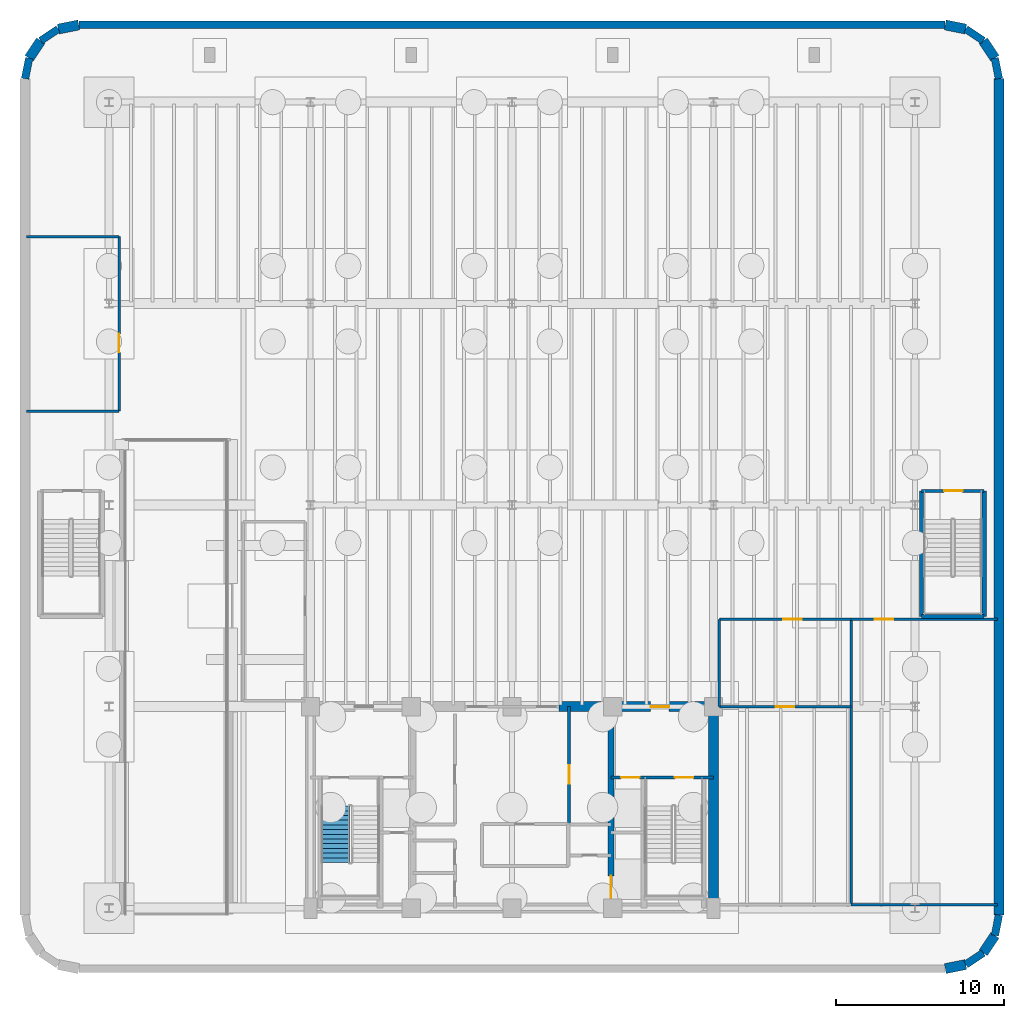
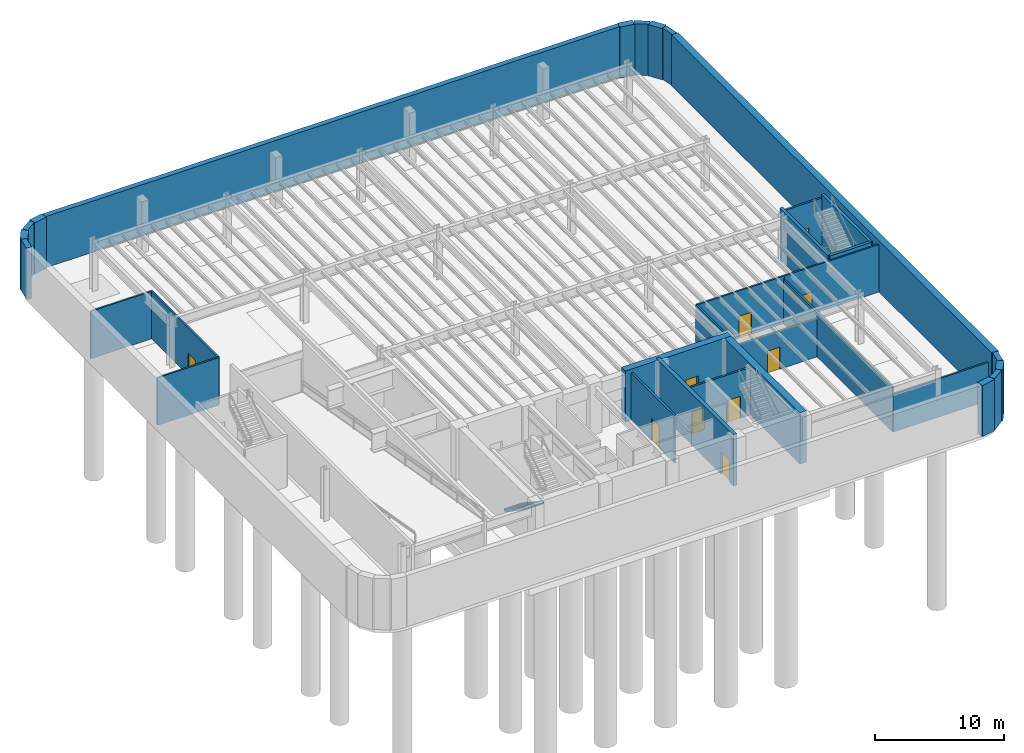
# One storey, part 5 of 9: 32 walls, 10 doors, 1 stair flight, 10 openings, 1 element without a shape of its own.
"""IFC4 building model written with IfcOpenShell, lengths in metres."""

import ifcopenshell
import ifcopenshell.guid

model = None  # the IFC model being written
_history = None  # IfcOwnerHistory: only IFC2X3 demands one
_inside = {}  # id of a spatial element -> (the spatial element, [elements in it])
_under = {}  # id of a project, library or spatial element -> (it, [spatial elements below it])
_declared = {}  # id of a project -> (the project, [libraries it declares])
_typed = {}  # id of a type object -> (the type object, [elements of that type])
_made_of = {}  # id of a material, layer set ... -> (it, [elements and type objects made of it])


def new_model(schema):
    """Start an empty IFC model of exactly this schema.

    Asked for "IFC4X3", IfcOpenShell would pick the latest addendum, in which some entities
    have other attributes; the version numbers below select the first issue.
    IFC2X3 requires an IfcOwnerHistory on every rooted entity: one is made here for all.
    """
    global model, _history
    if schema == "IFC4X3":
        model = ifcopenshell.file(schema_version=(4, 3, 0, 0))
    else:
        model = ifcopenshell.file(schema=schema)
    _inside.clear()
    _under.clear()
    _declared.clear()
    _typed.clear()
    _made_of.clear()
    _history = None
    if model.schema == "IFC2X3":
        org = make("IfcOrganization", Name="unknown")
        user = make(
            "IfcPersonAndOrganization",
            ThePerson=make("IfcPerson", FamilyName="unknown"),
            TheOrganization=org,
        )
        app = make(
            "IfcApplication",
            ApplicationDeveloper=org,
            Version="unknown",
            ApplicationFullName="unknown",
            ApplicationIdentifier="unknown",
        )
        _history = make(
            "IfcOwnerHistory",
            OwningUser=user,
            OwningApplication=app,
            ChangeAction="ADDED",
            CreationDate=0,
        )
    return model


def make(cls, **values):
    """One entity of the class cls with the attributes given. An attribute that is None is left unset."""
    return model.create_entity(
        cls, **{name: value for name, value in values.items() if value is not None}
    )


def rooted(cls, **values):
    """An entity with a GlobalId (a new one), such as an element, a storey or a relation."""
    return make(cls, GlobalId=ifcopenshell.guid.new(), OwnerHistory=_history, **values)


def si_unit(unit_type, name, prefix=None):
    """IfcSIUnit, for example si_unit("LENGTHUNIT", "METRE", prefix="MILLI")."""
    return make("IfcSIUnit", UnitType=unit_type, Prefix=prefix, Name=name)


def assignment(units):
    """IfcUnitAssignment: the units of a project."""
    return None if units is None else make("IfcUnitAssignment", Units=units)


def point(xyz):
    """IfcCartesianPoint."""
    return None if xyz is None else make("IfcCartesianPoint", Coordinates=xyz)


def direction(xyz):
    """IfcDirection."""
    return None if xyz is None else make("IfcDirection", DirectionRatios=xyz)


def frame(location, z_axis=None, x_axis=None):
    """IfcAxis2Placement3D, a coordinate frame: its origin and axes. An axis left out is left unset."""
    return make(
        "IfcAxis2Placement3D",
        Location=point(location),
        Axis=direction(z_axis),
        RefDirection=direction(x_axis),
    )


def frame_2d(location, x_axis=None):
    """IfcAxis2Placement2D, a coordinate frame in the plane: its origin and x axis."""
    return make(
        "IfcAxis2Placement2D", Location=point(location), RefDirection=direction(x_axis)
    )


def origin():
    """The frame at (0, 0, 0) with its axes left unset."""
    return frame((0.0, 0.0, 0.0))


def origin_2d():
    """The frame at (0, 0) in the plane with its x axis left unset."""
    return frame_2d((0.0, 0.0))


def place(relative_to, where):
    """IfcLocalPlacement: puts the frame where relative to a parent placement (None: the world)."""
    return make(
        "IfcLocalPlacement", PlacementRelTo=relative_to, RelativePlacement=where
    )


def context(
    kind, dimensions, precision=None, world=None, true_north=None, identifier=None
):
    """IfcGeometricRepresentationContext, for example the 3D "Model" context."""
    return make(
        "IfcGeometricRepresentationContext",
        ContextIdentifier=identifier,
        ContextType=kind,
        CoordinateSpaceDimension=dimensions,
        Precision=precision,
        WorldCoordinateSystem=world,
        TrueNorth=true_north,
    )


def subcontext(parent, identifier, kind, view, scale=None):
    """IfcGeometricRepresentationSubContext, for example "Body" below "Model"."""
    return make(
        "IfcGeometricRepresentationSubContext",
        ContextIdentifier=identifier,
        ContextType=kind,
        ParentContext=parent,
        TargetScale=scale,
        TargetView=view,
    )


def project(units=None, contexts=None):
    """IfcProject with its units and contexts."""
    return rooted(
        "IfcProject",
        Name="project",
        RepresentationContexts=contexts,
        UnitsInContext=assignment(units),
    )


def spatial(cls, under=None, at=None, **own):
    """A site, building, storey or space (cls), placed at a placement, below another one or the project."""
    s = rooted(cls, ObjectPlacement=at, **own)
    if under is not None:
        _under.setdefault(under.id(), (under, []))[1].append(s)
    return s


def polyline(points):
    """IfcPolyline through the points."""
    return make("IfcPolyline", Points=[point(p) for p in points])


def profile(cls, at=None, kind="AREA", **sizes):
    """A parametric profile (cls). Its sizes go by their IFC names, for example OverallWidth=200.0."""
    return make(cls, ProfileType=kind, Position=at, **sizes)


def rectangle(**sizes):
    """IfcRectangleProfileDef."""
    return profile("IfcRectangleProfileDef", **sizes)


def outline(outer, holes=None, kind="AREA"):
    """IfcArbitraryClosedProfileDef: a profile drawn as a closed curve; with holes, ...WithVoids."""
    if holes is None:
        return make("IfcArbitraryClosedProfileDef", ProfileType=kind, OuterCurve=outer)
    return make(
        "IfcArbitraryProfileDefWithVoids",
        ProfileType=kind,
        OuterCurve=outer,
        InnerCurves=holes,
    )


def extrude(swept, where, along, depth):
    """IfcExtrudedAreaSolid: the profile swept, set in the frame where, extruded along a direction by depth."""
    return make(
        "IfcExtrudedAreaSolid",
        SweptArea=swept,
        Position=where,
        ExtrudedDirection=direction(along),
        Depth=depth,
    )


def shape(context_of_items, identifier, shape_type, items):
    """IfcShapeRepresentation: the items that make up one representation, for example the "Body"."""
    return make(
        "IfcShapeRepresentation",
        ContextOfItems=context_of_items,
        RepresentationIdentifier=identifier,
        RepresentationType=shape_type,
        Items=items,
    )


def source(mapping_origin, context_of_items, identifier, shape_type, items):
    """IfcRepresentationMap: a shape defined once, which mapped items show again and again."""
    return make(
        "IfcRepresentationMap",
        MappingOrigin=mapping_origin,
        MappedRepresentation=shape(context_of_items, identifier, shape_type, items),
    )


def transform(
    local_origin,
    x_axis=None,
    y_axis=None,
    z_axis=None,
    scale=None,
    scale2=None,
    scale3=None,
    uniform=True,
):
    """IfcCartesianTransformationOperator3D, or its non-uniform kind. x_axis, y_axis, z_axis: its Axis1, 2, 3."""
    if uniform:
        return make(
            "IfcCartesianTransformationOperator3D",
            Axis1=direction(x_axis),
            Axis2=direction(y_axis),
            LocalOrigin=point(local_origin),
            Scale=scale,
            Axis3=direction(z_axis),
        )
    return make(
        "IfcCartesianTransformationOperator3DnonUniform",
        Axis1=direction(x_axis),
        Axis2=direction(y_axis),
        LocalOrigin=point(local_origin),
        Scale=scale,
        Axis3=direction(z_axis),
        Scale2=scale2,
        Scale3=scale3,
    )


def mapped(mapping_source, mapping_target):
    """IfcMappedItem: shows the shape of a source again, moved by a transform."""
    return make(
        "IfcMappedItem", MappingSource=mapping_source, MappingTarget=mapping_target
    )


def material(Name=None, Category=None):
    """IfcMaterial."""
    return make("IfcMaterial", Name=Name, Category=Category)


def layer(
    of_material, thickness, ventilated=None, Name=None, Category=None, Priority=None
):
    """IfcMaterialLayer: one layer of a wall or slab, of a material (None: an air gap)."""
    return make(
        "IfcMaterialLayer",
        Material=of_material,
        LayerThickness=thickness,
        IsVentilated=ventilated,
        Name=Name,
        Category=Category,
        Priority=Priority,
    )


def layer_set(layers, Name=None):
    """IfcMaterialLayerSet."""
    return make("IfcMaterialLayerSet", MaterialLayers=layers, LayerSetName=Name)


def made_of(thing, what):
    """Note that an element or type object is made of a material, layer set ...; save() writes the relation."""
    if what is not None:
        _made_of.setdefault(what.id(), (what, []))[1].append(thing)
    return thing


def type_object(cls, material=None, **own):
    """A type object (cls), such as IfcWallType, which elements share."""
    return made_of(rooted(cls, **own), material)


def element(
    cls,
    number,
    at=None,
    inside=None,
    cuts=None,
    type_object=None,
    material=None,
    context=None,
    identifier="Body",
    shape_type=None,
    held_by="IfcProductDefinitionShape",
    body=None,
    shapes=None,
    **own,
):
    """One element of the class cls, such as IfcWall. Its Tag is "e" and its number.

    at: its placement. inside: the storey or other place that contains it. cuts: it is an
    opening in that element (IfcRelVoidsElement). A single representation is given by context,
    identifier, shape_type and body (its items); several are given by shapes. held_by: the class
    of the entity that holds the representations. save() writes the other relations.
    """
    e = rooted(cls, Tag="e%d" % number, ObjectPlacement=at, **own)
    if body is not None:
        shapes = [shape(context, identifier, shape_type, body)]
    if shapes is not None:
        e.Representation = make(held_by, Representations=shapes)
    if inside is not None:
        _inside.setdefault(inside.id(), (inside, []))[1].append(e)
    if cuts is not None:
        rooted(
            "IfcRelVoidsElement", RelatingBuildingElement=cuts, RelatedOpeningElement=e
        )
    if type_object is not None:
        _typed.setdefault(type_object.id(), (type_object, []))[1].append(e)
    return made_of(e, material)


def fill(opening, filler):
    """IfcRelFillsElement: the door or window that sits in an opening."""
    return rooted(
        "IfcRelFillsElement",
        RelatingOpeningElement=opening,
        RelatedBuildingElement=filler,
    )


def aggregate(whole, parts):
    """IfcRelAggregates: a whole, such as a stair, and the parts it consists of."""
    return rooted("IfcRelAggregates", RelatingObject=whole, RelatedObjects=parts)


def save(model, path):
    """Write the relations noted so far, then the file.

    IfcRelAggregates (storeys below a building ...), IfcRelContainedInSpatialStructure (elements
    in a storey), IfcRelDefinesByType, IfcRelAssociatesMaterial and IfcRelDeclares: one each for
    every whole, place, type object, material and project.
    """
    for whole, parts in _under.values():
        aggregate(whole, parts)
    for where, things in _inside.values():
        rooted(
            "IfcRelContainedInSpatialStructure",
            RelatedElements=things,
            RelatingStructure=where,
        )
    for kind, things in _typed.values():
        rooted("IfcRelDefinesByType", RelatedObjects=things, RelatingType=kind)
    for what, things in _made_of.values():
        rooted("IfcRelAssociatesMaterial", RelatedObjects=things, RelatingMaterial=what)
    for by, libraries in _declared.values():
        rooted("IfcRelDeclares", RelatingContext=by, RelatedDefinitions=libraries)
    model.write(path)


model = new_model("IFC4")

# Units and contexts
model_context = context("Model", 3, precision=1e-05, world=origin(), true_north=direction((0.0, 1.0)))
body_context = subcontext(model_context, "Body", "Model", "MODEL_VIEW")
ifc_project = project(units=[si_unit("LENGTHUNIT", "METRE"), si_unit("AREAUNIT", "SQUARE_METRE"), si_unit("VOLUMEUNIT", "CUBIC_METRE"), si_unit("PLANEANGLEUNIT", "RADIAN"), si_unit("MASSUNIT", "GRAM", prefix="KILO")], contexts=[model_context])

# Site, building, storey
site_placement = place(None, origin())
site = spatial("IfcSite", under=ifc_project, at=site_placement, CompositionType="ELEMENT")
building_placement = place(site_placement, origin())
building = spatial("IfcBuilding", under=site, at=building_placement, Name="Brelvock Crest Care Tower", CompositionType="ELEMENT")
storey_placement = place(building_placement, frame((0.0, 0.0, -4.860107421875)))
storey = spatial("IfcBuildingStorey", under=building, at=storey_placement, Name="B1", CompositionType="ELEMENT", Elevation=-4.860107421875)

# Wall
ifc_material_1 = material(Name="Concrete S80 (80 MPa)", Category="concrete")
ifc_layer_1 = layer(ifc_material_1, 0.60009765625, Name="WL-CS1")
ifc_layer_set_1 = layer_set([ifc_layer_1], Name="Concrete S80 (80 MPa)")
wall_type_1 = type_object("IfcWallType", Name="WL-CS1", PredefinedType="SHEAR", material=ifc_layer_set_1)
wall_1_placement = place(storey_placement, frame((48.0, 18.0, 0.0), z_axis=(0.0, 0.0, 1.0), x_axis=(0.0, -1.0, 0.0)))
element("IfcWall", 1, at=wall_1_placement, inside=storey, type_object=wall_type_1, Name="B1 Core East Shear Wall", PredefinedType="SHEAR", context=body_context, shape_type="SweptSolid", body=[
    extrude(rectangle(XDim=12.0, YDim=0.60009765625, at=frame_2d((6.0, 0.0))), origin(), (0.0, 0.0, 1.0), 4.860107421875),
])

# Wall, opening, door
wall_2_placement = place(storey_placement, frame((38.800048828125, 18.0, 0.0), z_axis=(0.0, 0.0, 1.0), x_axis=(1.0, 0.0, 0.0)))
wall_2 = element("IfcWall", 2, at=wall_2_placement, inside=storey, type_object=wall_type_1, Name="B1 Core North-East Shear Wall", PredefinedType="SHEAR", context=body_context, shape_type="SweptSolid", body=[
    extrude(rectangle(XDim=9.5, YDim=0.60009765625, at=frame_2d((4.75, 0.0))), origin(), (0.0, 0.0, 1.0), 4.860107421875),
])
opening_1_placement = place(wall_2_placement, frame((5.449951171875, 0.0, 0.0)))
opening_1 = element("IfcOpeningElement", 3, at=opening_1_placement, cuts=wall_2, Name="Opening FD-1", PredefinedType="OPENING", context=body_context, shape_type="SweptSolid", body=[
    extrude(rectangle(XDim=1.10009765625, YDim=2.10009765625, at=origin_2d()), frame((0.550048828125, 0.31005859375, 1.050048828125), z_axis=(0.0, -1.0, 0.0), x_axis=(1.0, 0.0, 0.0)), (0.0, 0.0, 1.0), 0.6201171875),
])
ifc_material_2 = material(Name="Steel Grade 350", Category="steel")
door_type_1 = type_object("IfcDoorType", Name="DR-FFL1", OperationType="NOTDEFINED", PredefinedType="DOOR", material=ifc_material_2)
shared_shape_1 = source(origin(), body_context, "Body", "SweptSolid", [
    extrude(rectangle(XDim=1.10009765625, YDim=2.10009765625, at=origin_2d()), frame((0.550048828125, 0.02490234375, 1.050048828125), z_axis=(0.0, -1.0, 0.0), x_axis=(1.0, 0.0, 0.0)), (0.0, 0.0, 1.0), 0.050048828125),
])
door_1_placement = place(opening_1_placement, origin())
door_1 = element("IfcDoor", 4, at=door_1_placement, inside=storey, type_object=door_type_1, Name="B1 Firefighting Lobby FFL-2 Exit Door", OperationType="SINGLE_SWING_RIGHT", OverallHeight=2.10009765625, OverallWidth=1.10009765625, PredefinedType="DOOR", context=body_context, shape_type="MappedRepresentation", body=[
    mapped(shared_shape_1, transform((0.0, 0.0, 0.0), x_axis=(1.0, 0.0, 0.0), y_axis=(0.0, 1.0, 0.0), z_axis=(0.0, 0.0, 1.0), scale=1.0)),
])
fill(opening_1, door_1)

ifc_layer_2 = layer(ifc_material_1, 0.35009765625, Name="WL-CS5")
ifc_layer_set_2 = layer_set([ifc_layer_2], Name="Concrete S80 (80 MPa)")
wall_type_2 = type_object("IfcWallType", Name="WL-CS5", PredefinedType="SHEAR", material=ifc_layer_set_2)
wall_3_placement = place(storey_placement, frame((41.89990234375, 18.0, 0.0), z_axis=(0.0, 0.0, 1.0), x_axis=(0.0, -1.0, 0.0)))
wall_3 = element("IfcWall", 5, at=wall_3_placement, inside=storey, type_object=wall_type_2, Name="B1 Core Internal Web Wall East", PredefinedType="SHEAR", context=body_context, shape_type="SweptSolid", body=[
    extrude(rectangle(XDim=12.0, YDim=0.35009765625, at=frame_2d((6.0, 0.0))), origin(), (0.0, 0.0, 1.0), 4.860107421875),
])
opening_2_placement = place(wall_3_placement, frame((10.080078125, 0.0, 0.0)))
opening_2 = element("IfcOpeningElement", 6, at=opening_2_placement, cuts=wall_3, Name="Opening LD-S", PredefinedType="OPENING", context=body_context, shape_type="SweptSolid", body=[
    extrude(rectangle(XDim=1.300048828125, YDim=2.10009765625, at=origin_2d()), frame((0.64990234375, 0.18505859375, 1.050048828125), z_axis=(0.0, -1.0, 0.0), x_axis=(1.0, 0.0, 0.0)), (0.0, 0.0, 1.0), 0.3701171875),
])
door_type_2 = type_object("IfcDoorType", Name="DR-LDS1", OperationType="NOTDEFINED", PredefinedType="DOOR", material=ifc_material_2)
shared_shape_2 = source(origin(), body_context, "Body", "SweptSolid", [
    extrude(rectangle(XDim=1.300048828125, YDim=2.10009765625, at=origin_2d()), frame((0.64990234375, 0.02490234375, 1.050048828125), z_axis=(0.0, -1.0, 0.0), x_axis=(1.0, 0.0, 0.0)), (0.0, 0.0, 1.0), 0.050048828125),
])
door_2_placement = place(opening_2_placement, origin())
door_2 = element("IfcDoor", 7, at=door_2_placement, inside=storey, type_object=door_type_2, Name="B1 Clinical Bed Lift SL-1 Landing Door", OperationType="SLIDING_TO_LEFT", OverallHeight=2.10009765625, OverallWidth=1.300048828125, PredefinedType="DOOR", context=body_context, shape_type="MappedRepresentation", body=[
    mapped(shared_shape_2, transform((0.0, 0.0, 0.0), x_axis=(1.0, 0.0, 0.0), y_axis=(0.0, 1.0, 0.0), z_axis=(0.0, 0.0, 1.0), scale=1.0)),
])
fill(opening_2, door_2)

# Walls
ifc_layer_3 = layer(ifc_material_1, 0.25, Name="WL-CS6")
ifc_layer_set_3 = layer_set([ifc_layer_3], Name="Concrete S80 (80 MPa)")
wall_type_3 = type_object("IfcWallType", Name="WL-CS6", PredefinedType="SHEAR", material=ifc_layer_set_3)
wall_4_placement = place(storey_placement, frame((60.3798828125, 23.3798828125, 0.0), z_axis=(0.0, 0.0, 1.0), x_axis=(1.0, 0.0, 0.0)))
element("IfcWall", 8, at=wall_4_placement, inside=storey, type_object=wall_type_3, Name="B1 Podium Stair ST-4 South Shear Wall", PredefinedType="SHEAR", context=body_context, shape_type="SweptSolid", body=[
    extrude(rectangle(XDim=3.740234375, YDim=0.25, at=frame_2d((1.8701171875, 0.0))), origin(), (0.0, 0.0, 1.0), 4.860107421875),
])
for number, where, z_axis, x_axis, name in (
    (9, (60.3798828125, 23.3798828125, 0.0), (0.0, 0.0, 1.0), (0.0, 1.0, 0.0), "B1 Podium Stair ST-4 West Shear Wall"),
    (10, (64.1201171875, 23.3798828125, 0.0), (0.0, 0.0, 1.0), (0.0, 1.0, 0.0), "B1 Podium Stair ST-4 East Shear Wall"),
):
    element("IfcWall", number, at=place(storey_placement, frame(where, z_axis=z_axis, x_axis=x_axis)), inside=storey, type_object=wall_type_3, Name=name, PredefinedType="SHEAR", context=body_context, shape_type="SweptSolid", body=[
        extrude(rectangle(XDim=7.47021484375, YDim=0.25, at=frame_2d((3.735107421875, 0.0))), origin(), (0.0, 0.0, 1.0), 4.860107421875),
    ])
ifc_material_3 = material(Name="Masonry Blockwork Acoustic Partition", Category="masonry")
ifc_layer_4 = layer(ifc_material_3, 0.14990234375, Name="WL-INT1")
ifc_layer_set_4 = layer_set([ifc_layer_4], Name="Masonry Blockwork Acoustic Partition")
wall_type_4 = type_object("IfcWallType", Name="WL-INT1", PredefinedType="PARTITIONING", material=ifc_layer_set_4)
wall_5_placement = place(storey_placement, frame((56.199951171875, 6.199951171875, 0.0), z_axis=(0.0, 0.0, 1.0), x_axis=(1.0, 0.0, 0.0)))
element("IfcWall", 11, at=wall_5_placement, inside=storey, type_object=wall_type_4, Name="B1 Interior Wall WL-BX-B1-B1-FPR-S", PredefinedType="PARTITIONING", context=body_context, shape_type="SweptSolid", body=[
    extrude(rectangle(XDim=8.719970703125, YDim=0.14990234375, at=frame_2d((4.35986328125, 0.0))), origin(), (0.0, 0.0, 1.0), 3.625),
])

# Wall, opening, door
wall_6_placement = place(storey_placement, frame((48.35009765625, 18.0, 0.0), z_axis=(0.0, 0.0, 1.0), x_axis=(1.0, 0.0, 0.0)))
wall_6 = element("IfcWall", 12, at=wall_6_placement, inside=storey, type_object=wall_type_4, Name="B1 Interior Wall WL-RM-B1-B1-SWB", PredefinedType="PARTITIONING", context=body_context, shape_type="SweptSolid", body=[
    extrude(rectangle(XDim=7.849853515625, YDim=0.14990234375, at=frame_2d((3.9248046875, 0.0))), origin(), (0.0, 0.0, 1.0), 3.625),
])
opening_3_placement = place(wall_6_placement, frame((3.35009765625, 0.0, 0.0)))
opening_3 = element("IfcOpeningElement", 13, at=opening_3_placement, cuts=wall_6, Name="Opening PD-1", PredefinedType="OPENING", context=body_context, shape_type="SweptSolid", body=[
    extrude(rectangle(XDim=1.10009765625, YDim=2.10009765625, at=origin_2d()), frame((0.550048828125, 0.0849609375, 1.050048828125), z_axis=(0.0, -1.0, 0.0), x_axis=(1.0, 0.0, 0.0)), (0.0, 0.0, 1.0), 0.169921875),
])
door_type_3 = type_object("IfcDoorType", Name="DR-PLT1", OperationType="NOTDEFINED", PredefinedType="DOOR", material=ifc_material_2)
shared_shape_3 = source(origin(), body_context, "Body", "SweptSolid", [
    extrude(rectangle(XDim=1.10009765625, YDim=2.10009765625, at=origin_2d()), frame((0.550048828125, 0.02490234375, 1.050048828125), z_axis=(0.0, -1.0, 0.0), x_axis=(1.0, 0.0, 0.0)), (0.0, 0.0, 1.0), 0.050048828125),
])
door_3_placement = place(opening_3_placement, origin())
door_3 = element("IfcDoor", 14, at=door_3_placement, inside=storey, type_object=door_type_3, Name="B1 Main Low-Voltage Switchroom Door B1-SWB", OperationType="SINGLE_SWING_LEFT", OverallHeight=2.10009765625, OverallWidth=1.10009765625, PredefinedType="DOOR", context=body_context, shape_type="MappedRepresentation", body=[
    mapped(shared_shape_3, transform((0.0, 0.0, 0.0), x_axis=(1.0, 0.0, 0.0), y_axis=(0.0, 1.0, 0.0), z_axis=(0.0, 0.0, 1.0), scale=1.0)),
])
fill(opening_3, door_3)

wall_7_placement = place(storey_placement, frame((48.35009765625, 23.199951171875, 0.0), z_axis=(0.0, 0.0, 1.0), x_axis=(1.0, 0.0, 0.0)))
wall_7 = element("IfcWall", 15, at=wall_7_placement, inside=storey, type_object=wall_type_4, Name="B1 Interior Wall WL-RM-B1-B1-WST", PredefinedType="PARTITIONING", context=body_context, shape_type="SweptSolid", body=[
    extrude(rectangle(XDim=7.849853515625, YDim=0.14990234375, at=frame_2d((3.9248046875, 0.0))), origin(), (0.0, 0.0, 1.0), 4.510009765625),
])
opening_4_placement = place(wall_7_placement, frame((3.800048828125, 0.0, 0.0)))
opening_4 = element("IfcOpeningElement", 16, at=opening_4_placement, cuts=wall_7, Name="Opening PD-1", PredefinedType="OPENING", context=body_context, shape_type="SweptSolid", body=[
    extrude(rectangle(XDim=1.10009765625, YDim=2.10009765625, at=origin_2d()), frame((0.550048828125, 0.0849609375, 1.050048828125), z_axis=(0.0, -1.0, 0.0), x_axis=(1.0, 0.0, 0.0)), (0.0, 0.0, 1.0), 0.169921875),
])
door_4_placement = place(opening_4_placement, origin())
door_4 = element("IfcDoor", 17, at=door_4_placement, inside=storey, type_object=door_type_3, Name="B1 Clinical and Domestic Cold Water Tank Room Door B1-WST", OperationType="SINGLE_SWING_LEFT", OverallHeight=2.10009765625, OverallWidth=1.10009765625, PredefinedType="DOOR", context=body_context, shape_type="MappedRepresentation", body=[
    mapped(shared_shape_3, transform((0.0, 0.0, 0.0), x_axis=(1.0, 0.0, 0.0), y_axis=(0.0, 1.0, 0.0), z_axis=(0.0, 0.0, 1.0), scale=1.0)),
])
fill(opening_4, door_4)

wall_8_placement = place(storey_placement, frame((56.199951171875, 23.199951171875, 0.0), z_axis=(0.0, 0.0, 1.0), x_axis=(1.0, 0.0, 0.0)))
wall_8 = element("IfcWall", 18, at=wall_8_placement, inside=storey, type_object=wall_type_4, Name="B1 Interior Wall WL-RM-B1-B1-FPR", PredefinedType="PARTITIONING", context=body_context, shape_type="SweptSolid", body=[
    extrude(rectangle(XDim=8.719970703125, YDim=0.14990234375, at=frame_2d((4.35986328125, 0.0))), origin(), (0.0, 0.0, 1.0), 4.510009765625),
])
opening_5_placement = place(wall_8_placement, frame((1.39990234375, 0.0, 0.0)))
opening_5 = element("IfcOpeningElement", 19, at=opening_5_placement, cuts=wall_8, Name="Opening PD-1", PredefinedType="OPENING", context=body_context, shape_type="SweptSolid", body=[
    extrude(rectangle(XDim=1.10009765625, YDim=2.10009765625, at=origin_2d()), frame((0.550048828125, 0.0849609375, 1.050048828125), z_axis=(0.0, -1.0, 0.0), x_axis=(1.0, 0.0, 0.0)), (0.0, 0.0, 1.0), 0.169921875),
])
door_5_placement = place(opening_5_placement, origin())
door_5 = element("IfcDoor", 20, at=door_5_placement, inside=storey, type_object=door_type_3, Name="B1 Sprinkler and Fire Pump Plant Room Door B1-FPR", OperationType="SINGLE_SWING_LEFT", OverallHeight=2.10009765625, OverallWidth=1.10009765625, PredefinedType="DOOR", context=body_context, shape_type="MappedRepresentation", body=[
    mapped(shared_shape_3, transform((0.0, 0.0, 0.0), x_axis=(1.0, 0.0, 0.0), y_axis=(0.0, 1.0, 0.0), z_axis=(0.0, 0.0, 1.0), scale=1.0)),
])
fill(opening_5, door_5)

# Walls
for number, where, z_axis, x_axis, name in (
    (21, (7.080078125, 35.60009765625, 0.0), (0.0, 0.0, 1.0), (1.0, 0.0, 0.0), "B1 Interior Wall WL-BX-B1-B1-SUB-S"),
    (22, (7.080078125, 46.0, 0.0), (0.0, 0.0, 1.0), (1.0, 0.0, 0.0), "B1 Interior Wall WL-BX-B1-B1-SUB-N"),
):
    element("IfcWall", number, at=place(storey_placement, frame(where, z_axis=z_axis, x_axis=x_axis)), inside=storey, type_object=wall_type_4, Name=name, PredefinedType="PARTITIONING", context=body_context, shape_type="SweptSolid", body=[
        extrude(rectangle(XDim=5.52001953125, YDim=0.14990234375, at=frame_2d((2.760009765625, 0.0))), origin(), (0.0, 0.0, 1.0), 4.510009765625),
    ])

# Wall, opening, door
wall_9_placement = place(storey_placement, frame((12.60009765625, 35.60009765625, 0.0), z_axis=(0.0, 0.0, 1.0), x_axis=(0.0, 1.0, 0.0)))
wall_9 = element("IfcWall", 23, at=wall_9_placement, inside=storey, type_object=wall_type_4, Name="B1 Interior Wall WL-RM-B1-B1-SUB", PredefinedType="PARTITIONING", context=body_context, shape_type="SweptSolid", body=[
    extrude(rectangle(XDim=10.39990234375, YDim=0.14990234375, at=frame_2d((5.199951171875, 0.0))), origin(), (0.0, 0.0, 1.0), 4.510009765625),
])
opening_6_placement = place(wall_9_placement, frame((3.5, 0.0, 0.0)))
opening_6 = element("IfcOpeningElement", 24, at=opening_6_placement, cuts=wall_9, Name="Opening PD-1", PredefinedType="OPENING", context=body_context, shape_type="SweptSolid", body=[
    extrude(rectangle(XDim=1.10009765625, YDim=2.10009765625, at=origin_2d()), frame((0.550048828125, 0.0849609375, 1.050048828125), z_axis=(0.0, -1.0, 0.0), x_axis=(1.0, 0.0, 0.0)), (0.0, 0.0, 1.0), 0.169921875),
])
door_6_placement = place(opening_6_placement, origin())
door_6 = element("IfcDoor", 25, at=door_6_placement, inside=storey, type_object=door_type_3, Name="B1 High-Voltage Chamber Substation Door B1-SUB", OperationType="SINGLE_SWING_LEFT", OverallHeight=2.10009765625, OverallWidth=1.10009765625, PredefinedType="DOOR", context=body_context, shape_type="MappedRepresentation", body=[
    mapped(shared_shape_3, transform((0.0, 0.0, 0.0), x_axis=(1.0, 0.0, 0.0), y_axis=(0.0, 1.0, 0.0), z_axis=(0.0, 0.0, 1.0), scale=1.0)),
])
fill(opening_6, door_6)

# Walls
wall_10_placement = place(storey_placement, frame((48.35009765625, 18.0, 0.0), z_axis=(0.0, 0.0, 1.0), x_axis=(0.0, 1.0, 0.0)))
element("IfcWall", 26, at=wall_10_placement, inside=storey, type_object=wall_type_4, Name="B1 Interior Wall WL-BX-B1-B1-WST-W", PredefinedType="PARTITIONING", context=body_context, shape_type="SweptSolid", body=[
    extrude(rectangle(XDim=5.199951171875, YDim=0.14990234375, at=frame_2d((2.60009765625, 0.0))), origin(), (0.0, 0.0, 1.0), 4.510009765625),
])
wall_11_placement = place(storey_placement, frame((56.199951171875, 6.199951171875, 0.0), z_axis=(0.0, 0.0, 1.0), x_axis=(0.0, 1.0, 0.0)))
element("IfcWall", 27, at=wall_11_placement, inside=storey, type_object=wall_type_4, Name="B1 Interior Wall WL-BX-B1-B1-FPR-W", PredefinedType="PARTITIONING", context=body_context, shape_type="SweptSolid", body=[
    extrude(rectangle(XDim=17.0, YDim=0.14990234375, at=frame_2d((8.5, 0.0))), origin(), (0.0, 0.0, 1.0), 4.218017578125),
])
ifc_material_4 = material(Name="Concrete N50 (50 MPa)", Category="concrete")
ifc_layer_5 = layer(ifc_material_4, 0.60009765625, Name="WL-RT1")
ifc_layer_set_5 = layer_set([ifc_layer_5], Name="Concrete N50 (50 MPa)")
wall_type_5 = type_object("IfcWallType", Name="WL-RT1", PredefinedType="USERDEFINED", material=ifc_layer_set_5)
for number, where, z_axis, x_axis, name in (
    (28, (7.24365234375, 56.62451171875, 0.0), (0.0, 0.0, 1.0), (0.555557312883, 0.831478245117, 0.0), "B1 Basement Retaining Wall 06"),
    (29, (8.975341796875, 58.3564453125, 0.0), (0.0, 0.0, 1.0), (0.980775717779, 0.195138390419, 0.0), "B1 Basement Retaining Wall 08"),
    (30, (61.800048828125, 58.60009765625, 0.0), (0.0, 0.0, 1.0), (0.980775717779, -0.195138390419, 0.0), "B1 Basement Retaining Wall 10"),
    (31, (64.062744140625, 57.66259765625, 0.0), (0.0, 0.0, 1.0), (0.555557312883, -0.831478245117, 0.0), "B1 Basement Retaining Wall 12"),
):
    element("IfcWall", number, at=place(storey_placement, frame(where, z_axis=z_axis, x_axis=x_axis)), inside=storey, type_object=wall_type_5, Name=name, ObjectType="RETAININGWALL", PredefinedType="USERDEFINED", context=body_context, shape_type="SweptSolid", body=[
        extrude(rectangle(XDim=1.24853515625, YDim=0.60009765625, at=frame_2d((0.624267578125, 0.0))), origin(), (0.0, 0.0, 1.0), 4.860107421875),
    ])
wall_12_placement = place(storey_placement, frame((65.0, 55.39990234375, 0.0), z_axis=(0.0, 0.0, 1.0), x_axis=(0.0, -1.0, 0.0)))
element("IfcWall", 32, at=wall_12_placement, inside=storey, type_object=wall_type_5, Name="B1 Basement Retaining Wall 14", ObjectType="RETAININGWALL", PredefinedType="USERDEFINED", context=body_context, shape_type="SweptSolid", body=[
    extrude(rectangle(XDim=49.7998046875, YDim=0.60009765625, at=frame_2d((24.89990234375, 0.0))), origin(), (0.0, 0.0, 1.0), 4.860107421875),
])
for number, where, z_axis, x_axis, name in (
    (33, (64.75634765625, 4.37548828125, 0.0), (0.0, 0.0, 1.0), (-0.555557312883, -0.831478245117, 0.0), "B1 Basement Retaining Wall 16"),
    (34, (63.024658203125, 2.6435546875, 0.0), (0.0, 0.0, 1.0), (-0.980775717779, -0.195138390419, 0.0), "B1 Basement Retaining Wall 18"),
):
    element("IfcWall", number, at=place(storey_placement, frame(where, z_axis=z_axis, x_axis=x_axis)), inside=storey, type_object=wall_type_5, Name=name, ObjectType="RETAININGWALL", PredefinedType="USERDEFINED", context=body_context, shape_type="SweptSolid", body=[
        extrude(rectangle(XDim=1.24853515625, YDim=0.60009765625, at=frame_2d((0.624267578125, 0.0))), origin(), (0.0, 0.0, 1.0), 4.860107421875),
    ])
ifc_layer_6 = layer(ifc_material_4, 0.449951171875, Name="WL-RT2")
ifc_layer_set_6 = layer_set([ifc_layer_6], Name="Concrete N50 (50 MPa)")
wall_type_6 = type_object("IfcWallType", Name="WL-RT2", PredefinedType="USERDEFINED", material=ifc_layer_set_6)
for number, where, z_axis, x_axis, name in (
    (35, (7.0, 55.39990234375, 0.0), (0.0, 0.0, 1.0), (0.195138390419, 0.980775717779, 0.0), "B1 Basement Retaining Wall 05"),
    (36, (7.937255859375, 57.66259765625, 0.0), (0.0, 0.0, 1.0), (0.831387912822, 0.555692485475, 0.0), "B1 Basement Retaining Wall 07"),
):
    element("IfcWall", number, at=place(storey_placement, frame(where, z_axis=z_axis, x_axis=x_axis)), inside=storey, type_object=wall_type_6, Name=name, ObjectType="RETAININGWALL", PredefinedType="USERDEFINED", context=body_context, shape_type="SweptSolid", body=[
        extrude(rectangle(XDim=1.24853515625, YDim=0.449951171875, at=frame_2d((0.624267578125, 0.0))), origin(), (0.0, 0.0, 1.0), 4.860107421875),
    ])
wall_13_placement = place(storey_placement, frame((10.199951171875, 58.60009765625, 0.0), z_axis=(0.0, 0.0, 1.0), x_axis=(1.0, 0.0, 0.0)))
element("IfcWall", 37, at=wall_13_placement, inside=storey, type_object=wall_type_6, Name="B1 Basement Retaining Wall 09", ObjectType="RETAININGWALL", PredefinedType="USERDEFINED", context=body_context, shape_type="SweptSolid", body=[
    extrude(rectangle(XDim=51.60009765625, YDim=0.449951171875, at=frame_2d((25.800048828125, 0.0))), origin(), (0.0, 0.0, 1.0), 4.860107421875),
])
for number, where, z_axis, x_axis, name in (
    (38, (63.024658203125, 58.3564453125, 0.0), (0.0, 0.0, 1.0), (0.831387912822, -0.555692485475, 0.0), "B1 Basement Retaining Wall 11"),
    (39, (64.75634765625, 56.62451171875, 0.0), (0.0, 0.0, 1.0), (0.195138390419, -0.980775717779, 0.0), "B1 Basement Retaining Wall 13"),
    (40, (65.0, 5.60009765625, 0.0), (0.0, 0.0, 1.0), (-0.195138390419, -0.980775717779, 0.0), "B1 Basement Retaining Wall 15"),
    (41, (64.062744140625, 3.33740234375, 0.0), (0.0, 0.0, 1.0), (-0.831387912822, -0.555692485475, 0.0), "B1 Basement Retaining Wall 17"),
):
    element("IfcWall", number, at=place(storey_placement, frame(where, z_axis=z_axis, x_axis=x_axis)), inside=storey, type_object=wall_type_6, Name=name, ObjectType="RETAININGWALL", PredefinedType="USERDEFINED", context=body_context, shape_type="SweptSolid", body=[
        extrude(rectangle(XDim=1.24853515625, YDim=0.449951171875, at=frame_2d((0.624267578125, 0.0))), origin(), (0.0, 0.0, 1.0), 4.860107421875),
    ])

# Wall, opening, door
ifc_layer_7 = layer(ifc_material_3, 0.179931640625, Name="WL-SHF1")
ifc_layer_set_7 = layer_set([ifc_layer_7], Name="Masonry Blockwork Acoustic Partition")
wall_type_7 = type_object("IfcWallType", Name="WL-SHF1", PredefinedType="PARTITIONING", material=ifc_layer_set_7)
wall_14_placement = place(storey_placement, frame((60.3798828125, 30.85009765625, 0.0), z_axis=(0.0, 0.0, 1.0), x_axis=(1.0, 0.0, 0.0)))
wall_14 = element("IfcWall", 42, at=wall_14_placement, inside=storey, type_object=wall_type_7, Name="B1 Interior Wall WL-ST4-N-B1", PredefinedType="PARTITIONING", context=body_context, shape_type="SweptSolid", body=[
    extrude(rectangle(XDim=3.740234375, YDim=0.179931640625, at=frame_2d((1.8701171875, 0.0))), origin(), (0.0, 0.0, 1.0), 4.5400390625),
])
opening_7_placement = place(wall_14_placement, frame((1.35009765625, 0.0, 0.0)))
opening_7 = element("IfcOpeningElement", 43, at=opening_7_placement, cuts=wall_14, Name="Opening SD-1", PredefinedType="OPENING", context=body_context, shape_type="SweptSolid", body=[
    extrude(rectangle(XDim=1.10009765625, YDim=2.10009765625, at=origin_2d()), frame((0.550048828125, 0.10009765625, 1.050048828125), z_axis=(0.0, -1.0, 0.0), x_axis=(1.0, 0.0, 0.0)), (0.0, 0.0, 1.0), 0.199951171875),
])
door_type_4 = type_object("IfcDoorType", Name="DR-ST1", OperationType="NOTDEFINED", PredefinedType="DOOR", material=ifc_material_2)
shared_shape_4 = source(origin(), body_context, "Body", "SweptSolid", [
    extrude(rectangle(XDim=1.10009765625, YDim=2.10009765625, at=origin_2d()), frame((0.550048828125, 0.02490234375, 1.050048828125), z_axis=(0.0, -1.0, 0.0), x_axis=(1.0, 0.0, 0.0)), (0.0, 0.0, 1.0), 0.050048828125),
])
door_7_placement = place(opening_7_placement, origin())
door_7 = element("IfcDoor", 44, at=door_7_placement, inside=storey, type_object=door_type_4, Name="B1 Podium Stair ST-4 Door", OperationType="SINGLE_SWING_RIGHT", OverallHeight=2.10009765625, OverallWidth=1.10009765625, PredefinedType="DOOR", context=body_context, shape_type="MappedRepresentation", body=[
    mapped(shared_shape_4, transform((0.0, 0.0, 0.0), x_axis=(1.0, 0.0, 0.0), y_axis=(0.0, 1.0, 0.0), z_axis=(0.0, 0.0, 1.0), scale=1.0)),
])
fill(opening_7, door_7)

wall_15_placement = place(storey_placement, frame((39.39990234375, 11.0, 0.0), z_axis=(0.0, 0.0, 1.0), x_axis=(0.0, 1.0, 0.0)))
wall_15 = element("IfcWall", 45, at=wall_15_placement, inside=storey, type_object=wall_type_7, Name="B1 Interior Wall WL-CRCH-W-B1", PredefinedType="PARTITIONING", context=body_context, shape_type="SweptSolid", body=[
    extrude(rectangle(XDim=7.0, YDim=0.179931640625, at=frame_2d((3.5, 0.0))), origin(), (0.0, 0.0, 1.0), 4.510009765625),
])
opening_8_placement = place(wall_15_placement, frame((2.39990234375, 0.0, 0.0)))
opening_8 = element("IfcOpeningElement", 46, at=opening_8_placement, cuts=wall_15, Name="Opening PD-1", PredefinedType="OPENING", context=body_context, shape_type="SweptSolid", body=[
    extrude(rectangle(XDim=1.10009765625, YDim=2.10009765625, at=origin_2d()), frame((0.550048828125, 0.10009765625, 1.050048828125), z_axis=(0.0, -1.0, 0.0), x_axis=(1.0, 0.0, 0.0)), (0.0, 0.0, 1.0), 0.199951171875),
])
door_8_placement = place(opening_8_placement, origin())
door_8 = element("IfcDoor", 47, at=door_8_placement, inside=storey, type_object=door_type_3, Name="DR-CRCH-B1", OperationType="SINGLE_SWING_RIGHT", OverallHeight=2.10009765625, OverallWidth=1.10009765625, PredefinedType="DOOR", context=body_context, shape_type="MappedRepresentation", body=[
    mapped(shared_shape_3, transform((0.0, 0.0, 0.0), x_axis=(1.0, 0.0, 0.0), y_axis=(0.0, 1.0, 0.0), z_axis=(0.0, 0.0, 1.0), scale=1.0)),
])
fill(opening_8, door_8)

# Wall, openings, doors
wall_16_placement = place(storey_placement, frame((41.89990234375, 13.780029296875, 0.0), z_axis=(0.0, 0.0, 1.0), x_axis=(1.0, 0.0, 0.0)))
wall_16 = element("IfcWall", 48, at=wall_16_placement, inside=storey, type_object=wall_type_7, Name="B1 Interior Wall WL-ST2-N-B1", PredefinedType="PARTITIONING", context=body_context, shape_type="SweptSolid", body=[
    extrude(rectangle(XDim=6.10009765625, YDim=0.179931640625, at=frame_2d((3.050048828125, 0.0))), origin(), (0.0, 0.0, 1.0), 4.510009765625),
])
opening_9_placement = place(wall_16_placement, frame((0.60009765625, 0.0, 0.0)))
opening_9 = element("IfcOpeningElement", 49, at=opening_9_placement, cuts=wall_16, Name="Opening LD", PredefinedType="OPENING", context=body_context, shape_type="SweptSolid", body=[
    extrude(rectangle(XDim=1.10009765625, YDim=2.10009765625, at=origin_2d()), frame((0.550048828125, 0.10009765625, 1.050048828125), z_axis=(0.0, -1.0, 0.0), x_axis=(1.0, 0.0, 0.0)), (0.0, 0.0, 1.0), 0.199951171875),
])
opening_10_placement = place(wall_16_placement, frame((3.800048828125, 0.0, 0.0)))
opening_10 = element("IfcOpeningElement", 50, at=opening_10_placement, cuts=wall_16, Name="Opening SD-1", PredefinedType="OPENING", context=body_context, shape_type="SweptSolid", body=[
    extrude(rectangle(XDim=1.10009765625, YDim=2.10009765625, at=origin_2d()), frame((0.550048828125, 0.10009765625, 1.050048828125), z_axis=(0.0, -1.0, 0.0), x_axis=(1.0, 0.0, 0.0)), (0.0, 0.0, 1.0), 0.199951171875),
])
door_9_placement = place(opening_10_placement, origin())
door_9 = element("IfcDoor", 51, at=door_9_placement, inside=storey, type_object=door_type_4, Name="B1 Fire Stair ST-2 Door", OperationType="SINGLE_SWING_LEFT", OverallHeight=2.10009765625, OverallWidth=1.10009765625, PredefinedType="DOOR", context=body_context, shape_type="MappedRepresentation", body=[
    mapped(shared_shape_4, transform((0.0, 0.0, 0.0), x_axis=(1.0, 0.0, 0.0), y_axis=(0.0, 1.0, 0.0), z_axis=(0.0, 0.0, 1.0), scale=1.0)),
])
fill(opening_10, door_9)
door_type_5 = type_object("IfcDoorType", Name="DR-LD1", OperationType="NOTDEFINED", PredefinedType="DOOR", material=ifc_material_2)
shared_shape_5 = source(origin(), body_context, "Body", "SweptSolid", [
    extrude(rectangle(XDim=1.10009765625, YDim=2.10009765625, at=origin_2d()), frame((0.550048828125, 0.02490234375, 1.050048828125), z_axis=(0.0, -1.0, 0.0), x_axis=(1.0, 0.0, 0.0)), (0.0, 0.0, 1.0), 0.050048828125),
])
door_10_placement = place(opening_9_placement, origin())
door_10 = element("IfcDoor", 52, at=door_10_placement, inside=storey, type_object=door_type_5, Name="B1 Firefighting Lift FFL-2 Landing Door", OperationType="SLIDING_TO_RIGHT", OverallHeight=2.10009765625, OverallWidth=1.10009765625, PredefinedType="DOOR", context=body_context, shape_type="MappedRepresentation", body=[
    mapped(shared_shape_5, transform((0.0, 0.0, 0.0), x_axis=(1.0, 0.0, 0.0), y_axis=(0.0, 1.0, 0.0), z_axis=(0.0, 0.0, 1.0), scale=1.0)),
])
fill(opening_9, door_10)

# Stair, stair flight
ifc_material_5 = material(Name="Concrete N40 (40 MPa)", Category="concrete")
stair_type = type_object("IfcStairType", Name="ST-CORE1", PredefinedType="HALF_TURN_STAIR", material=ifc_material_5)
stair_placement = place(storey_placement, origin())
stair = element("IfcStair", 53, at=stair_placement, inside=storey, type_object=stair_type, Name="B1 Fire-Isolated Core Stair ST-1", PredefinedType="HALF_TURN_STAIR")
stair_flight_type = type_object("IfcStairFlightType", Name="STF-1", PredefinedType="STRAIGHT", material=ifc_material_5)
stair_flight_placement = place(storey_placement, frame((25.469970703125, 12.080078125, 0.0), z_axis=(0.0, 0.0, 1.0), x_axis=(0.0, -1.0, 0.0)))
stair_flight = element("IfcStairFlight", 54, at=stair_flight_placement, type_object=stair_flight_type, Name="ST-1 flight 1", NumberOfRisers=13, NumberOfTreads=12, PredefinedType="STRAIGHT", RiserHeight=0.186923077, TreadLength=0.28, context=body_context, shape_type="SweptSolid", body=[
    extrude(outline(polyline([(-0.00390625, -0.014892578125), (-0.00390625, -0.0078125), (-0.00390625, -0.00048828125), (-0.00390625, 0.006591796875), (-0.00390625, 0.013916015625), (-0.00390625, 0.02099609375), (-0.00390625, 0.0283203125), (-0.00390625, 0.035400390625), (-0.00390625, 0.042724609375), (-0.00390625, 0.0498046875), (-0.00390625, 0.05712890625), (-0.00390625, 0.064208984375), (-0.00390625, 0.071533203125), (-0.00390625, 0.078857421875), (-0.00390625, 0.0859375), (-0.00390625, 0.09326171875), (-0.00390625, 0.100341796875), (-0.00390625, 0.107666015625), (-0.00390625, 0.11474609375), (-0.00390625, 0.1220703125), (-0.00390625, 0.129150390625), (-0.00390625, 0.136474609375), (-0.00390625, 0.1435546875), (-0.00390625, 0.15087890625), (-0.00390625, 0.157958984375), (-0.00390625, 0.165283203125), (-0.00390625, 0.172607421875), (-0.00390625, 0.1796875), (-0.00390625, 0.18701171875), (0.0, 0.18701171875), (0.280029296875, 0.18701171875), (0.280029296875, 0.373779296875), (0.56005859375, 0.373779296875), (0.56005859375, 0.560791015625), (0.840087890625, 0.560791015625), (0.840087890625, 0.747802734375), (1.1201171875, 0.747802734375), (1.1201171875, 0.9345703125), (1.39990234375, 0.9345703125), (1.39990234375, 1.12158203125), (1.679931640625, 1.12158203125), (1.679931640625, 1.308349609375), (1.9599609375, 1.308349609375), (1.9599609375, 1.495361328125), (2.239990234375, 1.495361328125), (2.239990234375, 1.682373046875), (2.52001953125, 1.682373046875), (2.52001953125, 1.869140625), (2.800048828125, 1.869140625), (2.800048828125, 2.05615234375), (3.080078125, 2.05615234375), (3.080078125, 2.2431640625), (3.360107421875, 2.2431640625), (3.364013671875, 2.2431640625), (3.36376953125, 2.24267578125), (3.364013671875, 2.2421875), (3.36376953125, 2.241943359375), (3.364013671875, 2.241455078125), (3.36376953125, 2.2412109375), (3.364013671875, 2.24072265625), (3.36376953125, 2.240234375), (3.364013671875, 2.239990234375), (3.36376953125, 2.239501953125), (3.364013671875, 2.239013671875), (3.36376953125, 2.23876953125), (3.364013671875, 2.23828125), (3.36376953125, 2.238037109375), (3.364013671875, 2.237548828125), (3.36376953125, 2.237060546875), (3.364013671875, 2.23681640625), (3.36376953125, 2.236328125), (3.364013671875, 2.23583984375), (3.36376953125, 2.235595703125), (3.364013671875, 2.235107421875), (3.36376953125, 2.23486328125), (3.364013671875, 2.234375), (3.36376953125, 2.23388671875), (3.364013671875, 2.233642578125), (3.36376953125, 2.233154296875), (3.364013671875, 2.23291015625), (3.36376953125, 2.232421875), (3.364013671875, 2.23193359375), (3.360107421875, 2.062744140625), (0.27001953125, 0.0), (0.0, 0.0), (0.0, -0.014892578125), (-0.00390625, -0.014892578125)])), frame((0.0, 0.83984375, 0.0), z_axis=(0.0, -1.0, 0.0), x_axis=(1.0, 0.0, 0.0)), (0.0, 0.0, 1.0), 1.679931640625),
])
aggregate(stair, [stair_flight])

save(model, "model.ifc")
